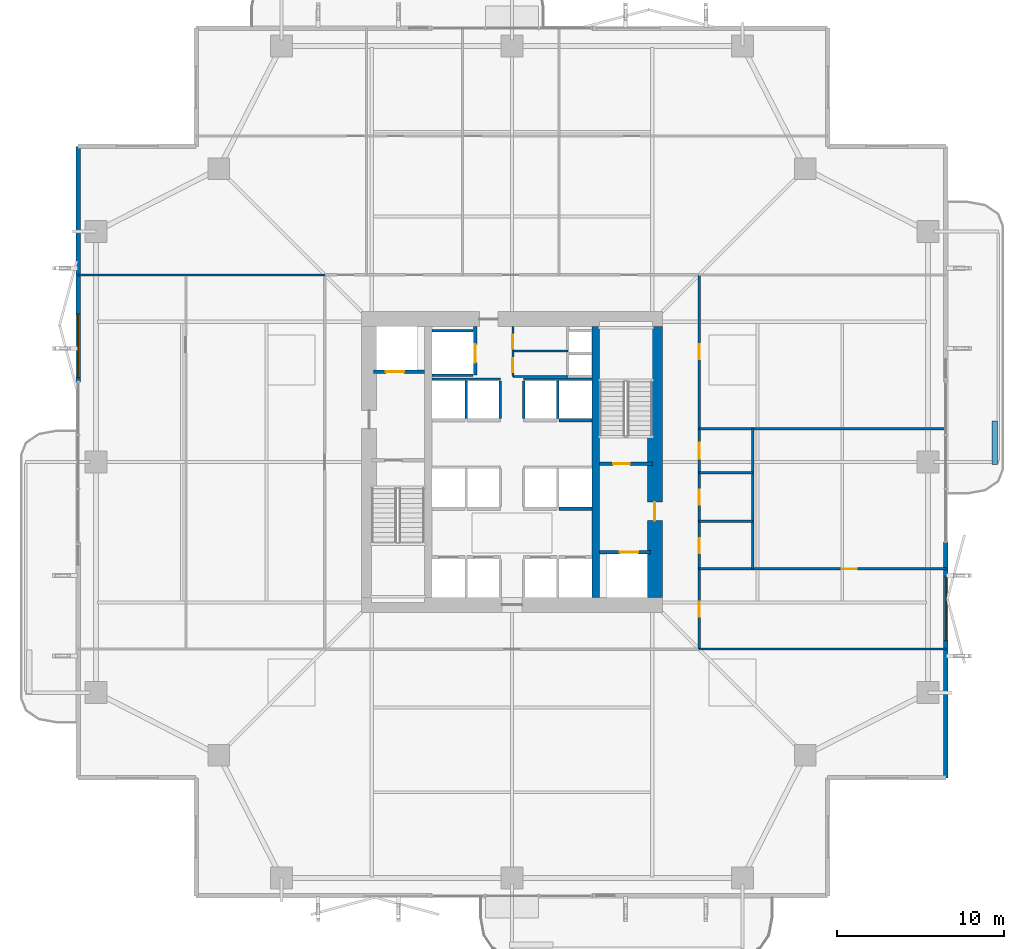
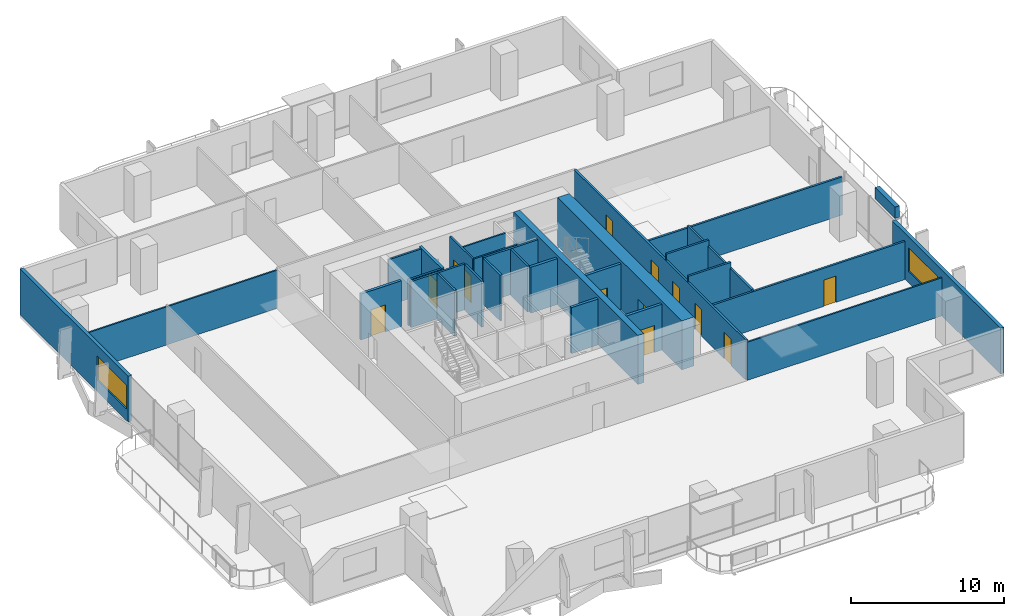
# One storey, part 18 of 24: 30 walls, 13 doors, 2 windows, 15 openings.
"""IFC4 building model written with IfcOpenShell, lengths in metres."""

from ifc_helpers import new_model, si_unit, direction, frame, frame_2d, origin, place, context, subcontext, project, spatial, rectangle, extrude, material, layer, layer_set, type_object, element, fill, save


model = new_model("IFC4")

# Units and contexts
model_context = context("Model", 3, precision=1e-05, world=origin(), true_north=direction((0.0, 1.0)))
body_context = subcontext(model_context, "Body", "Model", "MODEL_VIEW")
ifc_project = project(units=[si_unit("LENGTHUNIT", "METRE"), si_unit("AREAUNIT", "SQUARE_METRE"), si_unit("VOLUMEUNIT", "CUBIC_METRE"), si_unit("PLANEANGLEUNIT", "RADIAN"), si_unit("MASSUNIT", "GRAM", prefix="KILO")], contexts=[model_context])

# Site, building, storey
site_placement = place(None, origin())
site = spatial("IfcSite", under=ifc_project, at=site_placement, CompositionType="ELEMENT")
building_placement = place(site_placement, origin())
building = spatial("IfcBuilding", under=site, at=building_placement, Name="Belovzor Exchange Tower", CompositionType="ELEMENT")
storey_placement = place(building_placement, frame((0.0, 0.0, 117.300048828125)))
storey = spatial("IfcBuildingStorey", under=building, at=storey_placement, Name="L28", CompositionType="ELEMENT", Elevation=117.300048828125)

# Walls
ifc_material_1 = material(Name="Acoustic Plasterboard on Galvanised Studs", Category="gypsum")
ifc_layer_1 = layer(ifc_material_1, 0.1201171875)
ifc_layer_set_1 = layer_set([ifc_layer_1], Name="Acoustic Plasterboard on Galvanised Studs")
wall_type_1 = type_object("IfcWallType", Name="Acoustic Double-Stud Partition Wall 120", PredefinedType="PARTITIONING", material=ifc_layer_set_1)
for number, where, z_axis, x_axis, name in (
    (1, (40.0, 17.60009765625, 0.0), (0.0, 0.0, 1.0), (1.0, 0.0, 0.0), "W-P120 Partition Wall W-L28-END-SE"),
    (2, (2.830078125, 40.0, 0.0), (0.0, 0.0, 1.0), (1.0, 0.0, 0.0), "W-P120 Partition Wall W-L28-END-NW"),
):
    element("IfcWall", number, at=place(storey_placement, frame(where, z_axis=z_axis, x_axis=x_axis)), inside=storey, type_object=wall_type_1, Name=name, PredefinedType="PARTITIONING", context=body_context, shape_type="SweptSolid", body=[
        extrude(rectangle(XDim=14.77001953125, YDim=0.1201171875, at=frame_2d((7.385009765625, 0.0))), origin(), (0.0, 0.0, 1.0), 3.034912109375),
    ])

# Wall, openings, doors
ifc_material_2 = material(Name="Fire-Rated Plasterboard on Galvanised Studs", Category="gypsum")
ifc_layer_2 = layer(ifc_material_2, 0.1201171875)
ifc_layer_set_2 = layer_set([ifc_layer_2], Name="Fire-Rated Plasterboard on Galvanised Studs")
wall_type_2 = type_object("IfcWallType", Name="Fire-Rated Double-Stud Partition Wall 120", PredefinedType="PARTITIONING", material=ifc_layer_set_2)
wall_1_placement = place(storey_placement, frame((28.85009765625, 33.925048828125, 0.0), z_axis=(0.0, 0.0, 1.0), x_axis=(0.0, 1.0, 0.0)))
wall_1 = element("IfcWall", 3, at=wall_1_placement, inside=storey, type_object=wall_type_2, Name="W-P120F Partition Wall W-CRV-L28-W", PredefinedType="PARTITIONING", context=body_context, shape_type="SweptSolid", body=[
    extrude(rectangle(XDim=2.974853515625, YDim=0.1201171875, at=frame_2d((1.4873046875, 0.0))), origin(), (0.0, 0.0, 1.0), 3.64990234375),
])
opening_1_placement = place(wall_1_placement, frame((0.25, 0.0, 0.0)))
opening_1 = element("IfcOpeningElement", 4, at=opening_1_placement, cuts=wall_1, Name="Opening D-FD60-085", PredefinedType="OPENING", context=body_context, shape_type="SweptSolid", body=[
    extrude(rectangle(XDim=0.85009765625, YDim=2.10009765625, at=frame_2d((0.425048828125, 1.050048828125))), frame((0.0, 0.070068359375, 0.0), z_axis=(0.0, -1.0, 0.0), x_axis=(1.0, 0.0, 0.0)), (0.0, 0.0, 1.0), 0.14013671875),
])
opening_2_placement = place(wall_1_placement, frame((1.64501953125, 0.0, 0.0)))
opening_2 = element("IfcOpeningElement", 5, at=opening_2_placement, cuts=wall_1, Name="Opening D-FD60-085", PredefinedType="OPENING", context=body_context, shape_type="SweptSolid", body=[
    extrude(rectangle(XDim=0.85009765625, YDim=2.10009765625, at=frame_2d((0.425048828125, 1.050048828125))), frame((0.0, 0.070068359375, 0.0), z_axis=(0.0, -1.0, 0.0), x_axis=(1.0, 0.0, 0.0)), (0.0, 0.0, 1.0), 0.14013671875),
])
ifc_material_3 = material(Name="Fire-Rated Steel Access Leaf", Category="steel")
door_type_1 = type_object("IfcDoorType", Name="Riser & Meter Closet Access Fire Door 850x2100", OperationType="NOTDEFINED", PredefinedType="DOOR", material=ifc_material_3)
door_1_placement = place(opening_1_placement, origin())
door_1 = element("IfcDoor", 6, at=door_1_placement, inside=storey, type_object=door_type_1, Name="D-FD60-085 Riser & Meter Closet Access Fire Door 850x2100", OperationType="SINGLE_SWING_LEFT", OverallHeight=2.10009765625, OverallWidth=0.85009765625, PredefinedType="DOOR", context=body_context, shape_type="SweptSolid", body=[
    extrude(rectangle(XDim=0.85009765625, YDim=2.10009765625, at=frame_2d((0.425048828125, 1.050048828125))), frame((0.0, 0.02490234375, 0.0), z_axis=(0.0, -1.0, 0.0), x_axis=(1.0, 0.0, 0.0)), (0.0, 0.0, 1.0), 0.050048828125),
])
fill(opening_1, door_1)
door_2_placement = place(opening_2_placement, origin())
door_2 = element("IfcDoor", 7, at=door_2_placement, inside=storey, type_object=door_type_1, Name="D-FD60-085 Riser & Meter Closet Access Fire Door 850x2100", OperationType="SINGLE_SWING_RIGHT", OverallHeight=2.10009765625, OverallWidth=0.85009765625, PredefinedType="DOOR", context=body_context, shape_type="SweptSolid", body=[
    extrude(rectangle(XDim=0.85009765625, YDim=2.10009765625, at=frame_2d((0.425048828125, 1.050048828125))), frame((0.0, 0.02490234375, 0.0), z_axis=(0.0, -1.0, 0.0), x_axis=(1.0, 0.0, 0.0)), (0.0, 0.0, 1.0), 0.050048828125),
])
fill(opening_2, door_2)

# Walls
for number, where, z_axis, x_axis, name in (
    (8, (28.85009765625, 35.449951171875, 0.0), (0.0, 0.0, 1.0), (1.0, 0.0, 0.0), "W-P120F Partition Wall W-CRV-L28-M"),
    (9, (28.85009765625, 33.925048828125, 0.0), (0.0, 0.0, 1.0), (1.0, 0.0, 0.0), "W-P120F Partition Wall W-CRV-L28-S"),
):
    element("IfcWall", number, at=place(storey_placement, frame(where, z_axis=z_axis, x_axis=x_axis)), inside=storey, type_object=wall_type_2, Name=name, PredefinedType="PARTITIONING", context=body_context, shape_type="SweptSolid", body=[
        extrude(rectangle(XDim=3.2998046875, YDim=0.1201171875, at=frame_2d((1.64990234375, 0.0))), origin(), (0.0, 0.0, 1.0), 3.64990234375),
    ])
ifc_material_4 = material(Name="Fire-Rated Gypsum Block and Mineral Wool", Category="gypsum")
ifc_layer_3 = layer(ifc_material_4, 0.14990234375)
ifc_layer_set_3 = layer_set([ifc_layer_3], Name="Fire-Rated Gypsum Block and Mineral Wool")
wall_type_3 = type_object("IfcWallType", Name="Fire-Rated Gypsum Block Corridor Wall 150", PredefinedType="PARTITIONING", material=ifc_layer_set_3)
wall_2_placement = place(storey_placement, frame((43.199951171875, 22.39990234375, 0.0), z_axis=(0.0, 0.0, 1.0), x_axis=(0.0, 1.0, 0.0)))
element("IfcWall", 10, at=wall_2_placement, inside=storey, type_object=wall_type_3, Name="W-P150 Partition Wall W-L28-WCE", PredefinedType="PARTITIONING", context=body_context, shape_type="SweptSolid", body=[
    extrude(rectangle(XDim=8.400146484375, YDim=0.14990234375, at=frame_2d((4.2001953125, 0.0))), origin(), (0.0, 0.0, 1.0), 3.18505859375),
])

# Wall, opening, door
wall_3_placement = place(storey_placement, frame((40.0, 22.39990234375, 0.0), z_axis=(0.0, 0.0, 1.0), x_axis=(1.0, 0.0, 0.0)))
wall_3 = element("IfcWall", 11, at=wall_3_placement, inside=storey, type_object=wall_type_3, Name="W-P150 Partition Wall W-L28-WCS", PredefinedType="PARTITIONING", context=body_context, shape_type="SweptSolid", body=[
    extrude(rectangle(XDim=14.77001953125, YDim=0.14990234375, at=frame_2d((7.385009765625, 0.0))), origin(), (0.0, 0.0, 1.0), 3.034912109375),
])
opening_3_placement = place(wall_3_placement, frame((8.534912109375, 0.0, 0.0)))
opening_3 = element("IfcOpeningElement", 12, at=opening_3_placement, cuts=wall_3, Name="Opening D-INT-090", PredefinedType="OPENING", context=body_context, shape_type="SweptSolid", body=[
    extrude(rectangle(XDim=0.89990234375, YDim=2.10009765625, at=frame_2d((0.449951171875, 1.050048828125))), frame((0.0, 0.0849609375, 0.0), z_axis=(0.0, -1.0, 0.0), x_axis=(1.0, 0.0, 0.0)), (0.0, 0.0, 1.0), 0.169921875),
])
ifc_material_5 = material(Name="Veneered Hardwood Acoustic Leaf", Category="wood")
door_type_2 = type_object("IfcDoorType", Name="Trading Suite Acoustic Single Door 900x2100", OperationType="NOTDEFINED", PredefinedType="DOOR", material=ifc_material_5)
door_3_placement = place(opening_3_placement, origin())
door_3 = element("IfcDoor", 13, at=door_3_placement, inside=storey, type_object=door_type_2, Name="D-INT-090 Trading Suite Acoustic Single Door 900x2100", OperationType="SINGLE_SWING_LEFT", OverallHeight=2.10009765625, OverallWidth=0.89990234375, PredefinedType="DOOR", context=body_context, shape_type="SweptSolid", body=[
    extrude(rectangle(XDim=0.89990234375, YDim=2.10009765625, at=frame_2d((0.449951171875, 1.050048828125))), frame((0.0, 0.02490234375, 0.0), z_axis=(0.0, -1.0, 0.0), x_axis=(1.0, 0.0, 0.0)), (0.0, 0.0, 1.0), 0.050048828125),
])
fill(opening_3, door_3)

# Walls
wall_4_placement = place(storey_placement, frame((40.0, 30.800048828125, 0.0), z_axis=(0.0, 0.0, 1.0), x_axis=(1.0, 0.0, 0.0)))
element("IfcWall", 14, at=wall_4_placement, inside=storey, type_object=wall_type_3, Name="W-P150 Partition Wall W-L28-WCN", PredefinedType="PARTITIONING", context=body_context, shape_type="SweptSolid", body=[
    extrude(rectangle(XDim=14.77001953125, YDim=0.14990234375, at=frame_2d((7.385009765625, 0.0))), origin(), (0.0, 0.0, 1.0), 3.034912109375),
])
for number, where, z_axis, x_axis, name in (
    (15, (40.0, 25.25, 0.0), (0.0, 0.0, 1.0), (1.0, 0.0, 0.0), "W-P150 Partition Wall W-L28-WCD1"),
    (16, (40.0, 28.14990234375, 0.0), (0.0, 0.0, 1.0), (1.0, 0.0, 0.0), "W-P150 Partition Wall W-L28-WCD2"),
):
    element("IfcWall", number, at=place(storey_placement, frame(where, z_axis=z_axis, x_axis=x_axis)), inside=storey, type_object=wall_type_3, Name=name, PredefinedType="PARTITIONING", context=body_context, shape_type="SweptSolid", body=[
        extrude(rectangle(XDim=3.199951171875, YDim=0.14990234375, at=frame_2d((1.60009765625, 0.0))), origin(), (0.0, 0.0, 1.0), 3.64990234375),
    ])

# Wall, openings, doors
wall_5_placement = place(storey_placement, frame((40.0, 17.60009765625, 0.0), z_axis=(0.0, 0.0, 1.0), x_axis=(0.0, 1.0, 0.0)))
wall_5 = element("IfcWall", 17, at=wall_5_placement, inside=storey, type_object=wall_type_3, Name="W-P150 Partition Wall W-L28-CE", PredefinedType="PARTITIONING", context=body_context, shape_type="SweptSolid", body=[
    extrude(rectangle(XDim=22.39990234375, YDim=0.14990234375, at=frame_2d((11.199951171875, 0.0))), origin(), (0.0, 0.0, 1.0), 3.18505859375),
])
opening_4_placement = place(wall_5_placement, frame((1.949951171875, 0.0, 0.0)))
opening_4 = element("IfcOpeningElement", 18, at=opening_4_placement, cuts=wall_5, Name="Opening D-INT-090", PredefinedType="OPENING", context=body_context, shape_type="SweptSolid", body=[
    extrude(rectangle(XDim=0.89990234375, YDim=2.10009765625, at=frame_2d((0.449951171875, 1.050048828125))), frame((0.0, 0.0849609375, 0.0), z_axis=(0.0, -1.0, 0.0), x_axis=(1.0, 0.0, 0.0)), (0.0, 0.0, 1.0), 0.169921875),
])
opening_5_placement = place(wall_5_placement, frame((5.75, 0.0, 0.0)))
opening_5 = element("IfcOpeningElement", 19, at=opening_5_placement, cuts=wall_5, Name="Opening D-FD60-090", PredefinedType="OPENING", context=body_context, shape_type="SweptSolid", body=[
    extrude(rectangle(XDim=0.89990234375, YDim=2.10009765625, at=frame_2d((0.449951171875, 1.050048828125))), frame((0.0, 0.0849609375, 0.0), z_axis=(0.0, -1.0, 0.0), x_axis=(1.0, 0.0, 0.0)), (0.0, 0.0, 1.0), 0.169921875),
])
opening_6_placement = place(wall_5_placement, frame((8.64990234375, 0.0, 0.0)))
opening_6 = element("IfcOpeningElement", 20, at=opening_6_placement, cuts=wall_5, Name="Opening D-FD60-090", PredefinedType="OPENING", context=body_context, shape_type="SweptSolid", body=[
    extrude(rectangle(XDim=0.89990234375, YDim=2.10009765625, at=frame_2d((0.449951171875, 1.050048828125))), frame((0.0, 0.0849609375, 0.0), z_axis=(0.0, -1.0, 0.0), x_axis=(1.0, 0.0, 0.0)), (0.0, 0.0, 1.0), 0.169921875),
])
opening_7_placement = place(wall_5_placement, frame((11.39990234375, 0.0, 0.0)))
opening_7 = element("IfcOpeningElement", 21, at=opening_7_placement, cuts=wall_5, Name="Opening D-FD60-095", PredefinedType="OPENING", context=body_context, shape_type="SweptSolid", body=[
    extrude(rectangle(XDim=0.949951171875, YDim=2.10009765625, at=frame_2d((0.47509765625, 1.050048828125))), frame((0.0, 0.0849609375, 0.0), z_axis=(0.0, -1.0, 0.0), x_axis=(1.0, 0.0, 0.0)), (0.0, 0.0, 1.0), 0.169921875),
])
opening_8_placement = place(wall_5_placement, frame((17.35009765625, 0.0, 0.0)))
opening_8 = element("IfcOpeningElement", 22, at=opening_8_placement, cuts=wall_5, Name="Opening D-INT-090", PredefinedType="OPENING", context=body_context, shape_type="SweptSolid", body=[
    extrude(rectangle(XDim=0.89990234375, YDim=2.10009765625, at=frame_2d((0.449951171875, 1.050048828125))), frame((0.0, 0.0849609375, 0.0), z_axis=(0.0, -1.0, 0.0), x_axis=(1.0, 0.0, 0.0)), (0.0, 0.0, 1.0), 0.169921875),
])
ifc_material_6 = material(Name="Moisture-Resistant Timber Fire Leaf", Category="wood")
door_type_3 = type_object("IfcDoorType", Name="Accessible Restroom Wide Fire Door 950x2100", OperationType="NOTDEFINED", PredefinedType="DOOR", material=ifc_material_6)
door_4_placement = place(opening_7_placement, origin())
door_4 = element("IfcDoor", 23, at=door_4_placement, inside=storey, type_object=door_type_3, Name="D-FD60-095 Accessible Restroom Wide Fire Door 950x2100", OperationType="SINGLE_SWING_LEFT", OverallHeight=2.10009765625, OverallWidth=0.949951171875, PredefinedType="DOOR", context=body_context, shape_type="SweptSolid", body=[
    extrude(rectangle(XDim=0.949951171875, YDim=2.10009765625, at=frame_2d((0.47509765625, 1.050048828125))), frame((0.0, 0.02490234375, 0.0), z_axis=(0.0, -1.0, 0.0), x_axis=(1.0, 0.0, 0.0)), (0.0, 0.0, 1.0), 0.050048828125),
])
fill(opening_7, door_4)
ifc_material_7 = material(Name="Acoustic Timber Fire Leaf", Category="wood")
door_type_4 = type_object("IfcDoorType", Name="Core Service & Restroom Fire Door 900x2100", OperationType="NOTDEFINED", PredefinedType="DOOR", material=ifc_material_7)
door_5_placement = place(opening_5_placement, origin())
door_5 = element("IfcDoor", 24, at=door_5_placement, inside=storey, type_object=door_type_4, Name="D-FD60-090 Core Service & Restroom Fire Door 900x2100", OperationType="SINGLE_SWING_LEFT", OverallHeight=2.10009765625, OverallWidth=0.89990234375, PredefinedType="DOOR", context=body_context, shape_type="SweptSolid", body=[
    extrude(rectangle(XDim=0.89990234375, YDim=2.10009765625, at=frame_2d((0.449951171875, 1.050048828125))), frame((0.0, 0.02490234375, 0.0), z_axis=(0.0, -1.0, 0.0), x_axis=(1.0, 0.0, 0.0)), (0.0, 0.0, 1.0), 0.050048828125),
])
fill(opening_5, door_5)
door_6_placement = place(opening_6_placement, origin())
door_6 = element("IfcDoor", 25, at=door_6_placement, inside=storey, type_object=door_type_4, Name="D-FD60-090 Core Service & Restroom Fire Door 900x2100", OperationType="SINGLE_SWING_RIGHT", OverallHeight=2.10009765625, OverallWidth=0.89990234375, PredefinedType="DOOR", context=body_context, shape_type="SweptSolid", body=[
    extrude(rectangle(XDim=0.89990234375, YDim=2.10009765625, at=frame_2d((0.449951171875, 1.050048828125))), frame((0.0, 0.02490234375, 0.0), z_axis=(0.0, -1.0, 0.0), x_axis=(1.0, 0.0, 0.0)), (0.0, 0.0, 1.0), 0.050048828125),
])
fill(opening_6, door_6)
door_7_placement = place(opening_4_placement, origin())
door_7 = element("IfcDoor", 26, at=door_7_placement, inside=storey, type_object=door_type_2, Name="D-INT-090 Trading Suite Acoustic Single Door 900x2100", OperationType="SINGLE_SWING_LEFT", OverallHeight=2.10009765625, OverallWidth=0.89990234375, PredefinedType="DOOR", context=body_context, shape_type="SweptSolid", body=[
    extrude(rectangle(XDim=0.89990234375, YDim=2.10009765625, at=frame_2d((0.449951171875, 1.050048828125))), frame((0.0, 0.02490234375, 0.0), z_axis=(0.0, -1.0, 0.0), x_axis=(1.0, 0.0, 0.0)), (0.0, 0.0, 1.0), 0.050048828125),
])
fill(opening_4, door_7)
door_8_placement = place(opening_8_placement, origin())
door_8 = element("IfcDoor", 27, at=door_8_placement, inside=storey, type_object=door_type_2, Name="D-INT-090 Trading Suite Acoustic Single Door 900x2100", OperationType="SINGLE_SWING_RIGHT", OverallHeight=2.10009765625, OverallWidth=0.89990234375, PredefinedType="DOOR", context=body_context, shape_type="SweptSolid", body=[
    extrude(rectangle(XDim=0.89990234375, YDim=2.10009765625, at=frame_2d((0.449951171875, 1.050048828125))), frame((0.0, 0.02490234375, 0.0), z_axis=(0.0, -1.0, 0.0), x_axis=(1.0, 0.0, 0.0)), (0.0, 0.0, 1.0), 0.050048828125),
])
fill(opening_8, door_8)

# Wall, opening, window
ifc_material_8 = material(Name="Precast concrete C40/50", Category="concrete")
ifc_layer_4 = layer(ifc_material_8, 0.260009765625)
ifc_layer_set_4 = layer_set([ifc_layer_4], Name="Precast concrete C40/50")
wall_type_4 = type_object("IfcWallType", Name="Precast Concrete Perimeter Loggia Frame Wall 260", PredefinedType="SOLIDWALL", material=ifc_layer_set_4)
wall_6_placement = place(storey_placement, frame((2.830078125, 33.60009765625, 0.0), z_axis=(0.0, 0.0, 1.0), x_axis=(0.0, 1.0, 0.0)))
wall_6 = element("IfcWall", 28, at=wall_6_placement, inside=storey, type_object=wall_type_4, Name="W-EXT260 Precast Concrete Perimeter Loggia Frame Wall 260 L28", PredefinedType="SOLIDWALL", context=body_context, shape_type="SweptSolid", body=[
    extrude(rectangle(XDim=14.099853515625, YDim=0.260009765625, at=frame_2d((7.0498046875, 0.0))), origin(), (0.0, 0.0, 1.0), 3.64990234375),
])
opening_9_placement = place(wall_6_placement, frame((0.25, 0.0, 0.89990234375)))
opening_9 = element("IfcOpeningElement", 29, at=opening_9_placement, cuts=wall_6, Name="Opening WN-RIB380", PredefinedType="OPENING", context=body_context, shape_type="SweptSolid", body=[
    extrude(rectangle(XDim=3.800048828125, YDim=1.89990234375, at=frame_2d((1.89990234375, 0.949951171875))), frame((0.0, 0.139892578125, 0.0), z_axis=(0.0, -1.0, 0.0), x_axis=(1.0, 0.0, 0.0)), (0.0, 0.0, 1.0), 0.280029296875),
])
ifc_material_9 = material(Name="Thermally Broken Aluminium and Triple Glazing", Category="aluminium")
window_type = type_object("IfcWindowType", Name="Streamline Moderne Horizontal Ribbon Window 3800x1900", PartitioningType="SINGLE_PANEL", PredefinedType="WINDOW", material=ifc_material_9)
window_1_placement = place(opening_9_placement, origin())
window_1 = element("IfcWindow", 30, at=window_1_placement, inside=storey, type_object=window_type, Name="WN-RIB380 Streamline Moderne Horizontal Ribbon Window 3800x1900", OverallHeight=1.89990234375, OverallWidth=3.800048828125, PartitioningType="SINGLE_PANEL", PredefinedType="WINDOW", context=body_context, shape_type="SweptSolid", body=[
    extrude(rectangle(XDim=3.800048828125, YDim=1.89990234375, at=frame_2d((1.89990234375, 0.949951171875))), frame((0.0, 0.030029296875, 0.0), z_axis=(0.0, -1.0, 0.0), x_axis=(1.0, 0.0, 0.0)), (0.0, 0.0, 1.0), 0.06005859375),
])
fill(opening_9, window_1)

wall_7_placement = place(storey_placement, frame((54.77001953125, 24.0, 0.0), z_axis=(0.0, 0.0, 1.0), x_axis=(0.0, -1.0, 0.0)))
wall_7 = element("IfcWall", 31, at=wall_7_placement, inside=storey, type_object=wall_type_4, Name="W-EXT260 Precast Concrete Perimeter Loggia Frame Wall 260 L28", PredefinedType="SOLIDWALL", context=body_context, shape_type="SweptSolid", body=[
    extrude(rectangle(XDim=14.10009765625, YDim=0.260009765625, at=frame_2d((7.050048828125, 0.0))), origin(), (0.0, 0.0, 1.0), 3.64990234375),
])
opening_10_placement = place(wall_7_placement, frame((2.0830078125, 0.0, 0.89990234375)))
opening_10 = element("IfcOpeningElement", 32, at=opening_10_placement, cuts=wall_7, Name="Opening WN-RIB380", PredefinedType="OPENING", context=body_context, shape_type="SweptSolid", body=[
    extrude(rectangle(XDim=3.800048828125, YDim=1.89990234375, at=frame_2d((1.89990234375, 0.949951171875))), frame((0.0, 0.139892578125, 0.0), z_axis=(0.0, -1.0, 0.0), x_axis=(1.0, 0.0, 0.0)), (0.0, 0.0, 1.0), 0.280029296875),
])
window_2_placement = place(opening_10_placement, origin())
window_2 = element("IfcWindow", 33, at=window_2_placement, inside=storey, type_object=window_type, Name="WN-RIB380 Streamline Moderne Horizontal Ribbon Window 3800x1900", OverallHeight=1.89990234375, OverallWidth=3.800048828125, PartitioningType="SINGLE_PANEL", PredefinedType="WINDOW", context=body_context, shape_type="SweptSolid", body=[
    extrude(rectangle(XDim=3.800048828125, YDim=1.89990234375, at=frame_2d((1.89990234375, 0.949951171875))), frame((0.0, 0.030029296875, 0.0), z_axis=(0.0, -1.0, 0.0), x_axis=(1.0, 0.0, 0.0)), (0.0, 0.0, 1.0), 0.06005859375),
])
fill(opening_10, window_2)

# Walls
ifc_material_10 = material(Name="Precast concrete C40/50", Category="concrete")
ifc_layer_5 = layer(ifc_material_10, 0.35009765625)
ifc_layer_set_5 = layer_set([ifc_layer_5], Name="Precast concrete C40/50")
wall_type_5 = type_object("IfcWallType", Name="Precast Concrete Structural Tree Planter Trough 350", PredefinedType="PARAPET", material=ifc_layer_set_5)
wall_8_placement = place(storey_placement, frame((57.699951171875, 28.64990234375, 0.0), z_axis=(0.0, 0.0, 1.0), x_axis=(0.0, 1.0, 0.0)))
element("IfcWall", 34, at=wall_8_placement, inside=storey, type_object=wall_type_5, Name="PT-350 Precast Concrete Structural Tree Planter Trough 350 L28", PredefinedType="PARAPET", context=body_context, shape_type="SweptSolid", body=[
    extrude(rectangle(XDim=2.60009765625, YDim=0.35009765625, at=frame_2d((1.300048828125, 0.0))), origin(), (0.0, 0.0, 1.0), 0.89990234375),
])
ifc_material_11 = material(Name="Concrete C50/60", Category="concrete")
ifc_layer_6 = layer(ifc_material_11, 0.449951171875)
ifc_layer_set_6 = layer_set([ifc_layer_6], Name="Concrete C50/60")
wall_type_6 = type_object("IfcWallType", Name="Reinforced Concrete Core Internal Web Wall 450", PredefinedType="SHEAR", material=ifc_layer_set_6)
wall_9_placement = place(storey_placement, frame((33.824951171875, 20.699951171875, 0.0), z_axis=(0.0, 0.0, 1.0), x_axis=(0.0, 1.0, 0.0)))
element("IfcWall", 35, at=wall_9_placement, inside=storey, type_object=wall_type_6, Name="CW-W045 Core Internal Web Wall L28 ER", PredefinedType="SHEAR", context=body_context, shape_type="SweptSolid", body=[
    extrude(rectangle(XDim=16.199951171875, YDim=0.449951171875, at=frame_2d((8.10009765625, 0.0))), origin(), (0.0, 0.0, 1.0), 3.89990234375),
])
ifc_material_12 = material(Name="Concrete C50/60", Category="concrete")
ifc_layer_7 = layer(ifc_material_12, 0.14990234375)
ifc_layer_set_7 = layer_set([ifc_layer_7], Name="Concrete C50/60")
wall_type_7 = type_object("IfcWallType", Name="Reinforced Concrete Core Riser Shear Wall 150", PredefinedType="SHEAR", material=ifc_layer_set_7)
for number, where, z_axis, x_axis, name in (
    (36, (24.0, 34.0, 0.0), (0.0, 0.0, 1.0), (1.0, 0.0, 0.0), "W-C150S Core Shaft Wall W-SH-L28-SL-01S"),
    (37, (24.0, 36.64990234375, 0.0), (0.0, 0.0, 1.0), (1.0, 0.0, 0.0), "W-C150S Core Shaft Wall W-SH-L28-SL-01N"),
):
    element("IfcWall", number, at=place(storey_placement, frame(where, z_axis=z_axis, x_axis=x_axis)), inside=storey, type_object=wall_type_7, Name=name, PredefinedType="SHEAR", context=body_context, shape_type="SweptSolid", body=[
        extrude(rectangle(XDim=2.47998046875, YDim=0.14990234375, at=frame_2d((1.239990234375, 0.0))), origin(), (0.0, 0.0, 1.0), 3.64990234375),
    ])
for number, where, z_axis, x_axis, name in (
    (38, (24.02001953125, 33.760009765625, 0.0), (0.0, 0.0, 1.0), (1.0, 0.0, 0.0), "W-C150S Core Shaft Wall W-SHB-L28-PLH-NW"),
    (39, (29.5, 33.760009765625, 0.0), (0.0, 0.0, 1.0), (1.0, 0.0, 0.0), "W-C150S Core Shaft Wall W-SHB-L28-PLH-NE"),
):
    element("IfcWall", number, at=place(storey_placement, frame(where, z_axis=z_axis, x_axis=x_axis)), inside=storey, type_object=wall_type_7, Name=name, PredefinedType="SHEAR", context=body_context, shape_type="SweptSolid", body=[
        extrude(rectangle(XDim=4.080078125, YDim=0.14990234375, at=frame_2d((2.0400390625, 0.0))), origin(), (0.0, 0.0, 1.0), 3.64990234375),
    ])
for number, where, z_axis, x_axis, name in (
    (40, (26.050048828125, 31.419921875, 0.0), (0.0, 0.0, 1.0), (0.0, 1.0, 0.0), "W-C150S Core Shaft Wall W-SHD-L28-PLH-1"),
    (41, (28.10009765625, 31.419921875, 0.0), (0.0, 0.0, 1.0), (0.0, 1.0, 0.0), "W-C150S Core Shaft Wall W-SHD-L28-PLH-2"),
    (42, (29.5, 31.419921875, 0.0), (0.0, 0.0, 1.0), (0.0, 1.0, 0.0), "W-C150S Core Shaft Wall W-SHD-L28-PLH-3"),
    (43, (31.550048828125, 31.419921875, 0.0), (0.0, 0.0, 1.0), (0.0, 1.0, 0.0), "W-C150S Core Shaft Wall W-SHD-L28-PLH-4"),
):
    element("IfcWall", number, at=place(storey_placement, frame(where, z_axis=z_axis, x_axis=x_axis)), inside=storey, type_object=wall_type_7, Name=name, PredefinedType="SHEAR", context=body_context, shape_type="SweptSolid", body=[
        extrude(rectangle(XDim=2.239990234375, YDim=0.14990234375, at=frame_2d((1.1201171875, 0.0))), origin(), (0.0, 0.0, 1.0), 3.64990234375),
    ])

# Wall, opening, door
ifc_material_13 = material(Name="Concrete C50/60", Category="concrete")
ifc_layer_8 = layer(ifc_material_13, 0.199951171875)
ifc_layer_set_8 = layer_set([ifc_layer_8], Name="Concrete C50/60")
wall_type_8 = type_object("IfcWallType", Name="Reinforced Concrete Core Shaft Shear Wall 200", PredefinedType="SHEAR", material=ifc_layer_set_8)
wall_10_placement = place(storey_placement, frame((34.050048828125, 28.699951171875, 0.0), z_axis=(0.0, 0.0, 1.0), x_axis=(1.0, 0.0, 0.0)))
wall_10 = element("IfcWall", 44, at=wall_10_placement, inside=storey, type_object=wall_type_8, Name="W-C200S Core Shaft Wall W-CORE-L28-FFLE2", PredefinedType="SHEAR", context=body_context, shape_type="SweptSolid", body=[
    extrude(rectangle(XDim=3.14990234375, YDim=0.199951171875, at=frame_2d((1.574951171875, 0.0))), origin(), (0.0, 0.0, 1.0), 3.64990234375),
])
opening_11_placement = place(wall_10_placement, frame((0.800048828125, 0.0, 0.0)))
opening_11 = element("IfcOpeningElement", 45, at=opening_11_placement, cuts=wall_10, Name="Opening D-FD90-100", PredefinedType="OPENING", context=body_context, shape_type="SweptSolid", body=[
    extrude(rectangle(XDim=1.0, YDim=2.10009765625, at=frame_2d((0.5, 1.050048828125))), frame((0.0, 0.10986328125, 0.0), z_axis=(0.0, -1.0, 0.0), x_axis=(1.0, 0.0, 0.0)), (0.0, 0.0, 1.0), 0.219970703125),
])
ifc_material_14 = material(Name="Fire-Rated Galvanised Steel Leaf", Category="steel")
door_type_5 = type_object("IfcDoorType", Name="Protected Stairwell Single Fire Door 1000x2100", OperationType="NOTDEFINED", PredefinedType="DOOR", material=ifc_material_14)
door_9_placement = place(opening_11_placement, origin())
door_9 = element("IfcDoor", 46, at=door_9_placement, inside=storey, type_object=door_type_5, Name="D-FD90-100 Protected Stairwell Single Fire Door 1000x2100", OperationType="SINGLE_SWING_LEFT", OverallHeight=2.10009765625, OverallWidth=1.0, PredefinedType="DOOR", context=body_context, shape_type="SweptSolid", body=[
    extrude(rectangle(XDim=1.0, YDim=2.10009765625, at=frame_2d((0.5, 1.050048828125))), frame((0.0, 0.02490234375, 0.0), z_axis=(0.0, -1.0, 0.0), x_axis=(1.0, 0.0, 0.0)), (0.0, 0.0, 1.0), 0.050048828125),
])
fill(opening_11, door_9)

wall_11_placement = place(storey_placement, frame((20.5, 34.199951171875, 0.0), z_axis=(0.0, 0.0, 1.0), x_axis=(1.0, 0.0, 0.0)))
wall_11 = element("IfcWall", 47, at=wall_11_placement, inside=storey, type_object=wall_type_8, Name="W-C200S Core Shaft Wall W-SH-L28-FFL-01", PredefinedType="SHEAR", context=body_context, shape_type="SweptSolid", body=[
    extrude(rectangle(XDim=3.050048828125, YDim=0.199951171875, at=frame_2d((1.52490234375, 0.0))), origin(), (0.0, 0.0, 1.0), 3.64990234375),
])
opening_12_placement = place(wall_11_placement, frame((0.75, 0.0, 0.0)))
opening_12 = element("IfcOpeningElement", 48, at=opening_12_placement, cuts=wall_11, Name="Opening LD-110", PredefinedType="OPENING", context=body_context, shape_type="SweptSolid", body=[
    extrude(rectangle(XDim=1.10009765625, YDim=2.14990234375, at=frame_2d((0.550048828125, 1.074951171875))), frame((0.0, 0.10986328125, 0.0), z_axis=(0.0, -1.0, 0.0), x_axis=(1.0, 0.0, 0.0)), (0.0, 0.0, 1.0), 0.219970703125),
])
ifc_material_15 = material(Name="Stainless Steel Grade 304", Category="steel")
door_type_6 = type_object("IfcDoorType", Name="Automated Stainless Steel Lift Landing Door 1100x2150", OperationType="SLIDING_TO_RIGHT", PredefinedType="DOOR", material=ifc_material_15)
door_10_placement = place(opening_12_placement, origin())
door_10 = element("IfcDoor", 49, at=door_10_placement, inside=storey, type_object=door_type_6, Name="LD-110 Automated Stainless Steel Lift Landing Door 1100x2150", OperationType="SLIDING_TO_RIGHT", OverallHeight=2.14990234375, OverallWidth=1.10009765625, PredefinedType="DOOR", context=body_context, shape_type="SweptSolid", body=[
    extrude(rectangle(XDim=1.10009765625, YDim=2.14990234375, at=frame_2d((0.550048828125, 1.074951171875))), frame((0.0, 0.02490234375, 0.0), z_axis=(0.0, -1.0, 0.0), x_axis=(1.0, 0.0, 0.0)), (0.0, 0.0, 1.0), 0.050048828125),
])
fill(opening_12, door_10)

wall_12_placement = place(storey_placement, frame((34.050048828125, 23.39990234375, 0.0), z_axis=(0.0, 0.0, 1.0), x_axis=(1.0, 0.0, 0.0)))
wall_12 = element("IfcWall", 50, at=wall_12_placement, inside=storey, type_object=wall_type_8, Name="W-C200S Core Shaft Wall W-SH-L28-FFL-02", PredefinedType="SHEAR", context=body_context, shape_type="SweptSolid", body=[
    extrude(rectangle(XDim=3.050048828125, YDim=0.199951171875, at=frame_2d((1.52490234375, 0.0))), origin(), (0.0, 0.0, 1.0), 3.64990234375),
])
opening_13_placement = place(wall_12_placement, frame((1.199951171875, 0.0, 0.0)))
opening_13 = element("IfcOpeningElement", 51, at=opening_13_placement, cuts=wall_12, Name="Opening LD-110", PredefinedType="OPENING", context=body_context, shape_type="SweptSolid", body=[
    extrude(rectangle(XDim=1.10009765625, YDim=2.14990234375, at=frame_2d((0.550048828125, 1.074951171875))), frame((0.0, 0.10986328125, 0.0), z_axis=(0.0, -1.0, 0.0), x_axis=(1.0, 0.0, 0.0)), (0.0, 0.0, 1.0), 0.219970703125),
])
door_11_placement = place(opening_13_placement, origin())
door_11 = element("IfcDoor", 52, at=door_11_placement, inside=storey, type_object=door_type_6, Name="LD-110 Automated Stainless Steel Lift Landing Door 1100x2150", OperationType="SLIDING_TO_RIGHT", OverallHeight=2.14990234375, OverallWidth=1.10009765625, PredefinedType="DOOR", context=body_context, shape_type="SweptSolid", body=[
    extrude(rectangle(XDim=1.10009765625, YDim=2.14990234375, at=frame_2d((0.550048828125, 1.074951171875))), frame((0.0, 0.02490234375, 0.0), z_axis=(0.0, -1.0, 0.0), x_axis=(1.0, 0.0, 0.0)), (0.0, 0.0, 1.0), 0.050048828125),
])
fill(opening_13, door_11)

wall_13_placement = place(storey_placement, frame((26.60009765625, 34.0, 0.0), z_axis=(0.0, 0.0, 1.0), x_axis=(0.0, 1.0, 0.0)))
wall_13 = element("IfcWall", 53, at=wall_13_placement, inside=storey, type_object=wall_type_8, Name="W-C200S Core Shaft Wall W-SH-L28-SL-01", PredefinedType="SHEAR", context=body_context, shape_type="SweptSolid", body=[
    extrude(rectangle(XDim=2.89990234375, YDim=0.199951171875, at=frame_2d((1.449951171875, 0.0))), origin(), (0.0, 0.0, 1.0), 3.64990234375),
])
opening_14_placement = place(wall_13_placement, frame((0.75, 0.0, 0.0)))
opening_14 = element("IfcOpeningElement", 54, at=opening_14_placement, cuts=wall_13, Name="Opening LD-110", PredefinedType="OPENING", context=body_context, shape_type="SweptSolid", body=[
    extrude(rectangle(XDim=1.10009765625, YDim=2.14990234375, at=frame_2d((0.550048828125, 1.074951171875))), frame((0.0, 0.10986328125, 0.0), z_axis=(0.0, -1.0, 0.0), x_axis=(1.0, 0.0, 0.0)), (0.0, 0.0, 1.0), 0.219970703125),
])
door_12_placement = place(opening_14_placement, origin())
door_12 = element("IfcDoor", 55, at=door_12_placement, inside=storey, type_object=door_type_6, Name="LD-110 Automated Stainless Steel Lift Landing Door 1100x2150", OperationType="SLIDING_TO_RIGHT", OverallHeight=2.14990234375, OverallWidth=1.10009765625, PredefinedType="DOOR", context=body_context, shape_type="SweptSolid", body=[
    extrude(rectangle(XDim=1.10009765625, YDim=2.14990234375, at=frame_2d((0.550048828125, 1.074951171875))), frame((0.0, 0.02490234375, 0.0), z_axis=(0.0, -1.0, 0.0), x_axis=(1.0, 0.0, 0.0)), (0.0, 0.0, 1.0), 0.050048828125),
])
fill(opening_14, door_12)

# Walls
for number, where, z_axis, x_axis, name in (
    (56, (31.60009765625, 26.0, 0.0), (0.0, 0.0, 1.0), (1.0, 0.0, 0.0), "W-C200S Core Shaft Wall W-SH-L28-PL-M4"),
    (57, (31.60009765625, 31.300048828125, 0.0), (0.0, 0.0, 1.0), (1.0, 0.0, 0.0), "W-C200S Core Shaft Wall W-SH-L28-PL-H4"),
):
    element("IfcWall", number, at=place(storey_placement, frame(where, z_axis=z_axis, x_axis=x_axis)), inside=storey, type_object=wall_type_8, Name=name, PredefinedType="SHEAR", context=body_context, shape_type="SweptSolid", body=[
        extrude(rectangle(XDim=2.0, YDim=0.199951171875, at=frame_2d((1.0, 0.0))), origin(), (0.0, 0.0, 1.0), 3.64990234375),
    ])

# Wall, opening, door
ifc_material_16 = material(Name="Concrete C60/75", Category="concrete")
ifc_layer_9 = layer(ifc_material_16, 0.89990234375)
ifc_layer_set_9 = layer_set([ifc_layer_9], Name="Concrete C60/75")
wall_type_9 = type_object("IfcWallType", Name="Reinforced Concrete Core Shear Wall 900", PredefinedType="SHEAR", material=ifc_layer_set_9)
wall_14_placement = place(storey_placement, frame((37.35009765625, 20.699951171875, 0.0), z_axis=(0.0, 0.0, 1.0), x_axis=(0.0, 1.0, 0.0)))
wall_14 = element("IfcWall", 58, at=wall_14_placement, inside=storey, type_object=wall_type_9, Name="CW-S090 Core Shear Wall L28 E", PredefinedType="SHEAR", context=body_context, shape_type="SweptSolid", body=[
    extrude(rectangle(XDim=16.199951171875, YDim=0.89990234375, at=frame_2d((8.10009765625, 0.0))), origin(), (0.0, 0.0, 1.0), 3.89990234375),
])
opening_15_placement = place(wall_14_placement, frame((4.60009765625, 0.0, 0.0)))
opening_15 = element("IfcOpeningElement", 59, at=opening_15_placement, cuts=wall_14, Name="Opening D-FD90-110", PredefinedType="OPENING", context=body_context, shape_type="SweptSolid", body=[
    extrude(rectangle(XDim=1.10009765625, YDim=2.14990234375, at=frame_2d((0.550048828125, 1.074951171875))), frame((0.0, 0.4599609375, 0.0), z_axis=(0.0, -1.0, 0.0), x_axis=(1.0, 0.0, 0.0)), (0.0, 0.0, 1.0), 0.919921875),
])
ifc_material_17 = material(Name="Fire-Rated Galvanised Steel Leaf", Category="steel")
door_type_7 = type_object("IfcDoorType", Name="Protected Escape Vestibule Fire Door 1100x2150", OperationType="NOTDEFINED", PredefinedType="DOOR", material=ifc_material_17)
door_13_placement = place(opening_15_placement, origin())
door_13 = element("IfcDoor", 60, at=door_13_placement, inside=storey, type_object=door_type_7, Name="D-FD90-110 Protected Escape Vestibule Fire Door 1100x2150", OperationType="SINGLE_SWING_RIGHT", OverallHeight=2.14990234375, OverallWidth=1.10009765625, PredefinedType="DOOR", context=body_context, shape_type="SweptSolid", body=[
    extrude(rectangle(XDim=1.10009765625, YDim=2.14990234375, at=frame_2d((0.550048828125, 1.074951171875))), frame((0.0, 0.02490234375, 0.0), z_axis=(0.0, -1.0, 0.0), x_axis=(1.0, 0.0, 0.0)), (0.0, 0.0, 1.0), 0.050048828125),
])
fill(opening_15, door_13)

save(model, "model.ifc")
